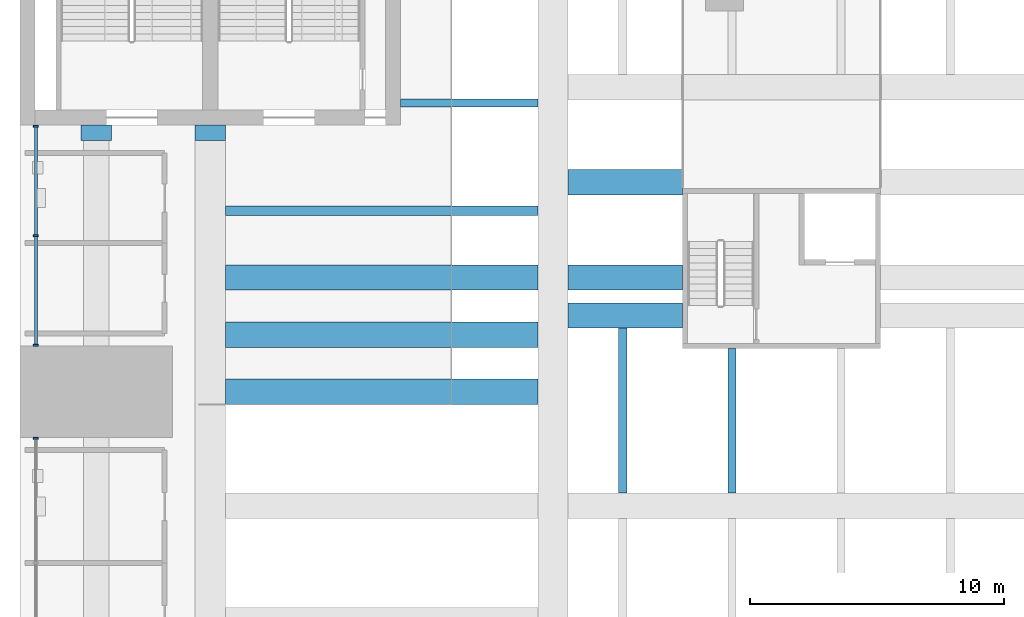
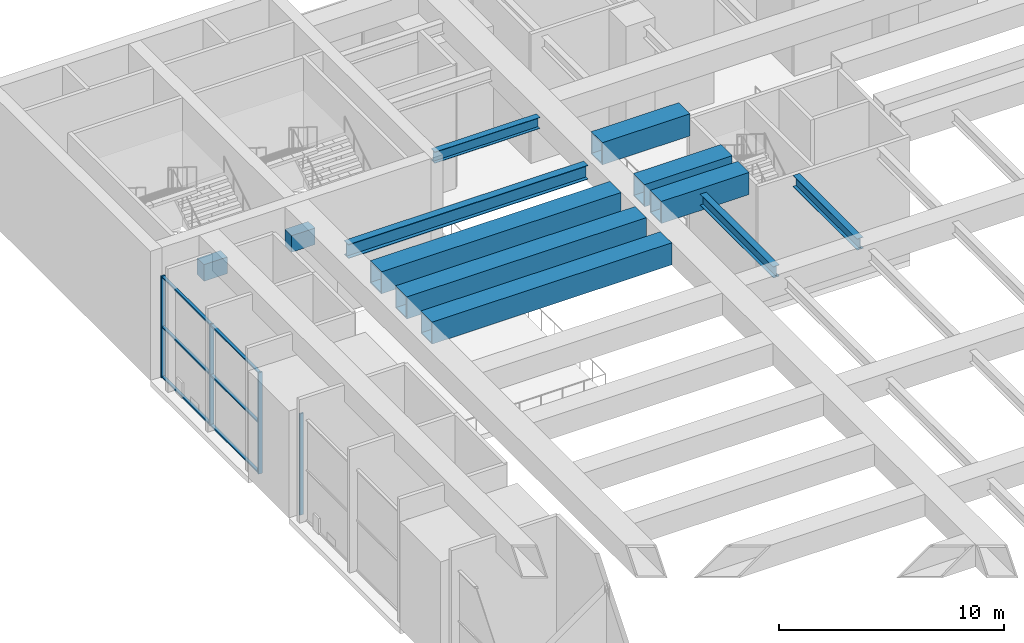
# One storey, part 12 of 45: 18 members, 4 beams, 2 elements without a shape of their own.
"""IFC4 building model written with IfcOpenShell, lengths in metres."""

import ifcopenshell
import ifcopenshell.guid

model = None  # the IFC model being written
_history = None  # IfcOwnerHistory: only IFC2X3 demands one
_inside = {}  # id of a spatial element -> (the spatial element, [elements in it])
_under = {}  # id of a project, library or spatial element -> (it, [spatial elements below it])
_declared = {}  # id of a project -> (the project, [libraries it declares])
_typed = {}  # id of a type object -> (the type object, [elements of that type])
_made_of = {}  # id of a material, layer set ... -> (it, [elements and type objects made of it])


def new_model(schema):
    """Start an empty IFC model of exactly this schema.

    Asked for "IFC4X3", IfcOpenShell would pick the latest addendum, in which some entities
    have other attributes; the version numbers below select the first issue.
    IFC2X3 requires an IfcOwnerHistory on every rooted entity: one is made here for all.
    """
    global model, _history
    if schema == "IFC4X3":
        model = ifcopenshell.file(schema_version=(4, 3, 0, 0))
    else:
        model = ifcopenshell.file(schema=schema)
    _inside.clear()
    _under.clear()
    _declared.clear()
    _typed.clear()
    _made_of.clear()
    _history = None
    if model.schema == "IFC2X3":
        org = make("IfcOrganization", Name="unknown")
        user = make(
            "IfcPersonAndOrganization",
            ThePerson=make("IfcPerson", FamilyName="unknown"),
            TheOrganization=org,
        )
        app = make(
            "IfcApplication",
            ApplicationDeveloper=org,
            Version="unknown",
            ApplicationFullName="unknown",
            ApplicationIdentifier="unknown",
        )
        _history = make(
            "IfcOwnerHistory",
            OwningUser=user,
            OwningApplication=app,
            ChangeAction="ADDED",
            CreationDate=0,
        )
    return model


def make(cls, **values):
    """One entity of the class cls with the attributes given. An attribute that is None is left unset."""
    return model.create_entity(
        cls, **{name: value for name, value in values.items() if value is not None}
    )


def rooted(cls, **values):
    """An entity with a GlobalId (a new one), such as an element, a storey or a relation."""
    return make(cls, GlobalId=ifcopenshell.guid.new(), OwnerHistory=_history, **values)


def si_unit(unit_type, name, prefix=None):
    """IfcSIUnit, for example si_unit("LENGTHUNIT", "METRE", prefix="MILLI")."""
    return make("IfcSIUnit", UnitType=unit_type, Prefix=prefix, Name=name)


def assignment(units):
    """IfcUnitAssignment: the units of a project."""
    return None if units is None else make("IfcUnitAssignment", Units=units)


def point(xyz):
    """IfcCartesianPoint."""
    return None if xyz is None else make("IfcCartesianPoint", Coordinates=xyz)


def direction(xyz):
    """IfcDirection."""
    return None if xyz is None else make("IfcDirection", DirectionRatios=xyz)


def frame(location, z_axis=None, x_axis=None):
    """IfcAxis2Placement3D, a coordinate frame: its origin and axes. An axis left out is left unset."""
    return make(
        "IfcAxis2Placement3D",
        Location=point(location),
        Axis=direction(z_axis),
        RefDirection=direction(x_axis),
    )


def frame_2d(location, x_axis=None):
    """IfcAxis2Placement2D, a coordinate frame in the plane: its origin and x axis."""
    return make(
        "IfcAxis2Placement2D", Location=point(location), RefDirection=direction(x_axis)
    )


def origin():
    """The frame at (0, 0, 0) with its axes left unset."""
    return frame((0.0, 0.0, 0.0))


def origin_2d():
    """The frame at (0, 0) in the plane with its x axis left unset."""
    return frame_2d((0.0, 0.0))


def place(relative_to, where):
    """IfcLocalPlacement: puts the frame where relative to a parent placement (None: the world)."""
    return make(
        "IfcLocalPlacement", PlacementRelTo=relative_to, RelativePlacement=where
    )


def context(
    kind, dimensions, precision=None, world=None, true_north=None, identifier=None
):
    """IfcGeometricRepresentationContext, for example the 3D "Model" context."""
    return make(
        "IfcGeometricRepresentationContext",
        ContextIdentifier=identifier,
        ContextType=kind,
        CoordinateSpaceDimension=dimensions,
        Precision=precision,
        WorldCoordinateSystem=world,
        TrueNorth=true_north,
    )


def subcontext(parent, identifier, kind, view, scale=None):
    """IfcGeometricRepresentationSubContext, for example "Body" below "Model"."""
    return make(
        "IfcGeometricRepresentationSubContext",
        ContextIdentifier=identifier,
        ContextType=kind,
        ParentContext=parent,
        TargetScale=scale,
        TargetView=view,
    )


def project(units=None, contexts=None):
    """IfcProject with its units and contexts."""
    return rooted(
        "IfcProject",
        Name="project",
        RepresentationContexts=contexts,
        UnitsInContext=assignment(units),
    )


def spatial(cls, under=None, at=None, **own):
    """A site, building, storey or space (cls), placed at a placement, below another one or the project."""
    s = rooted(cls, ObjectPlacement=at, **own)
    if under is not None:
        _under.setdefault(under.id(), (under, []))[1].append(s)
    return s


def profile(cls, at=None, kind="AREA", **sizes):
    """A parametric profile (cls). Its sizes go by their IFC names, for example OverallWidth=200.0."""
    return make(cls, ProfileType=kind, Position=at, **sizes)


def rectangle(**sizes):
    """IfcRectangleProfileDef."""
    return profile("IfcRectangleProfileDef", **sizes)


def hollow_rectangle(**sizes):
    """IfcRectangleHollowProfileDef."""
    return profile("IfcRectangleHollowProfileDef", **sizes)


def i_section(**sizes):
    """IfcIShapeProfileDef."""
    return profile("IfcIShapeProfileDef", **sizes)


def extrude(swept, where, along, depth):
    """IfcExtrudedAreaSolid: the profile swept, set in the frame where, extruded along a direction by depth."""
    return make(
        "IfcExtrudedAreaSolid",
        SweptArea=swept,
        Position=where,
        ExtrudedDirection=direction(along),
        Depth=depth,
    )


def shape(context_of_items, identifier, shape_type, items):
    """IfcShapeRepresentation: the items that make up one representation, for example the "Body"."""
    return make(
        "IfcShapeRepresentation",
        ContextOfItems=context_of_items,
        RepresentationIdentifier=identifier,
        RepresentationType=shape_type,
        Items=items,
    )


def material(Name=None, Category=None):
    """IfcMaterial."""
    return make("IfcMaterial", Name=Name, Category=Category)


def layer(
    of_material, thickness, ventilated=None, Name=None, Category=None, Priority=None
):
    """IfcMaterialLayer: one layer of a wall or slab, of a material (None: an air gap)."""
    return make(
        "IfcMaterialLayer",
        Material=of_material,
        LayerThickness=thickness,
        IsVentilated=ventilated,
        Name=Name,
        Category=Category,
        Priority=Priority,
    )


def layer_set(layers, Name=None):
    """IfcMaterialLayerSet."""
    return make("IfcMaterialLayerSet", MaterialLayers=layers, LayerSetName=Name)


def material_profile(
    of_material, cross_section, Name=None, Category=None, Priority=None
):
    """IfcMaterialProfile: a cross section and its material."""
    return make(
        "IfcMaterialProfile",
        Name=Name,
        Material=of_material,
        Profile=cross_section,
        Priority=Priority,
        Category=Category,
    )


def profile_set(profiles, Name=None, composite=None):
    """IfcMaterialProfileSet."""
    return make(
        "IfcMaterialProfileSet",
        Name=Name,
        MaterialProfiles=profiles,
        CompositeProfile=composite,
    )


def made_of(thing, what):
    """Note that an element or type object is made of a material, layer set ...; save() writes the relation."""
    if what is not None:
        _made_of.setdefault(what.id(), (what, []))[1].append(thing)
    return thing


def type_object(cls, material=None, **own):
    """A type object (cls), such as IfcWallType, which elements share."""
    return made_of(rooted(cls, **own), material)


def element(
    cls,
    number,
    at=None,
    inside=None,
    cuts=None,
    type_object=None,
    material=None,
    context=None,
    identifier="Body",
    shape_type=None,
    held_by="IfcProductDefinitionShape",
    body=None,
    shapes=None,
    **own,
):
    """One element of the class cls, such as IfcWall. Its Tag is "e" and its number.

    at: its placement. inside: the storey or other place that contains it. cuts: it is an
    opening in that element (IfcRelVoidsElement). A single representation is given by context,
    identifier, shape_type and body (its items); several are given by shapes. held_by: the class
    of the entity that holds the representations. save() writes the other relations.
    """
    e = rooted(cls, Tag="e%d" % number, ObjectPlacement=at, **own)
    if body is not None:
        shapes = [shape(context, identifier, shape_type, body)]
    if shapes is not None:
        e.Representation = make(held_by, Representations=shapes)
    if inside is not None:
        _inside.setdefault(inside.id(), (inside, []))[1].append(e)
    if cuts is not None:
        rooted(
            "IfcRelVoidsElement", RelatingBuildingElement=cuts, RelatedOpeningElement=e
        )
    if type_object is not None:
        _typed.setdefault(type_object.id(), (type_object, []))[1].append(e)
    return made_of(e, material)


def aggregate(whole, parts):
    """IfcRelAggregates: a whole, such as a stair, and the parts it consists of."""
    return rooted("IfcRelAggregates", RelatingObject=whole, RelatedObjects=parts)


def save(model, path):
    """Write the relations noted so far, then the file.

    IfcRelAggregates (storeys below a building ...), IfcRelContainedInSpatialStructure (elements
    in a storey), IfcRelDefinesByType, IfcRelAssociatesMaterial and IfcRelDeclares: one each for
    every whole, place, type object, material and project.
    """
    for whole, parts in _under.values():
        aggregate(whole, parts)
    for where, things in _inside.values():
        rooted(
            "IfcRelContainedInSpatialStructure",
            RelatedElements=things,
            RelatingStructure=where,
        )
    for kind, things in _typed.values():
        rooted("IfcRelDefinesByType", RelatedObjects=things, RelatingType=kind)
    for what, things in _made_of.values():
        rooted("IfcRelAssociatesMaterial", RelatedObjects=things, RelatingMaterial=what)
    for by, libraries in _declared.values():
        rooted("IfcRelDeclares", RelatingContext=by, RelatedDefinitions=libraries)
    model.write(path)


model = new_model("IFC4")

# Units and contexts
model_context = context("Model", 3, precision=1e-05, world=origin(), true_north=direction((0.0, 1.0)))
body_context = subcontext(model_context, "Body", "Model", "MODEL_VIEW")
ifc_project = project(units=[si_unit("LENGTHUNIT", "METRE"), si_unit("AREAUNIT", "SQUARE_METRE"), si_unit("VOLUMEUNIT", "CUBIC_METRE"), si_unit("PLANEANGLEUNIT", "RADIAN"), si_unit("MASSUNIT", "GRAM", prefix="KILO")], contexts=[model_context])

# Site, building, storey
site_placement = place(None, origin())
site = spatial("IfcSite", under=ifc_project, at=site_placement, CompositionType="ELEMENT")
building_placement = place(site_placement, origin())
building = spatial("IfcBuilding", under=site, at=building_placement, Name="Corbelhall Arena Tower", CompositionType="ELEMENT")
storey_placement = place(building_placement, frame((0.0, 0.0, 37.0)))
storey = spatial("IfcBuildingStorey", under=building, at=storey_placement, Name="L05", CompositionType="ELEMENT", Elevation=37.0)

# Curtain wall, members
ifc_material_1 = material(Name="Aluminium black anodised", Category="aluminium")
ifc_layer = layer(ifc_material_1, 0.239990234375)
ifc_layer_set = layer_set([ifc_layer], Name="EV-CW4 Arena concourse glazing")
curtain_wall_type = type_object("IfcCurtainWallType", Name="EV-CW4 Arena concourse glazing", PredefinedType="NOTDEFINED", material=ifc_layer_set)
curtain_wall_1_placement = place(storey_placement, origin())
curtain_wall_1 = element("IfcCurtainWall", 1, at=curtain_wall_1_placement, inside=storey, type_object=curtain_wall_type, Name="Curtain wall CW4B", PredefinedType="NOTDEFINED")
ifc_material_profile_1 = material_profile(ifc_material_1, rectangle(XDim=0.199951171875, YDim=0.074951171875, at=origin_2d()))
ifc_profile_set_1 = profile_set([ifc_material_profile_1], Name="Aluminium black anodised")
member_type_1 = type_object("IfcMemberType", Name="EV-CW4-MULLION", PredefinedType="MULLION", material=ifc_profile_set_1)
member_1_placement = place(storey_placement, frame((-47.3798828125, 23.96240234375, 0.0), z_axis=(0.0, 0.0, 1.0), x_axis=(1.0, 0.0, 0.0)))
member_1 = element("IfcMember", 2, at=member_1_placement, type_object=member_type_1, Name="CW4B mullion 1", PredefinedType="MULLION", context=body_context, shape_type="SweptSolid", body=[
    extrude(rectangle(XDim=0.199951171875, YDim=0.074951171875, at=origin_2d()), origin(), (0.0, 0.0, 1.0), 5.5),
])
member_2_placement = place(storey_placement, frame((-47.3798828125, 19.64990234375, 0.0), z_axis=(0.0, 0.0, 1.0), x_axis=(1.0, 0.0, 0.0)))
member_2 = element("IfcMember", 3, at=member_2_placement, type_object=member_type_1, Name="CW4B mullion 2", PredefinedType="MULLION", context=body_context, shape_type="SweptSolid", body=[
    extrude(rectangle(XDim=0.199951171875, YDim=0.074951171875, at=origin_2d()), origin(), (0.0, 0.0, 1.0), 5.5),
])
member_3_placement = place(storey_placement, frame((-47.3798828125, 15.33740234375, 0.0), z_axis=(0.0, 0.0, 1.0), x_axis=(1.0, 0.0, 0.0)))
member_3 = element("IfcMember", 4, at=member_3_placement, type_object=member_type_1, Name="CW4B mullion 3", PredefinedType="MULLION", context=body_context, shape_type="SweptSolid", body=[
    extrude(rectangle(XDim=0.199951171875, YDim=0.074951171875, at=origin_2d()), origin(), (0.0, 0.0, 1.0), 5.5),
])

# Curtain wall, member
curtain_wall_2_placement = place(storey_placement, origin())
curtain_wall_2 = element("IfcCurtainWall", 5, at=curtain_wall_2_placement, inside=storey, type_object=curtain_wall_type, Name="Curtain wall CW4", PredefinedType="NOTDEFINED")
member_4_placement = place(storey_placement, frame((-47.3798828125, 11.66259765625, 0.0), z_axis=(0.0, 0.0, 1.0), x_axis=(1.0, 0.0, 0.0)))
member_4 = element("IfcMember", 6, at=member_4_placement, type_object=member_type_1, Name="CW4 mullion 1", PredefinedType="MULLION", context=body_context, shape_type="SweptSolid", body=[
    extrude(rectangle(XDim=0.199951171875, YDim=0.074951171875, at=origin_2d()), origin(), (0.0, 0.0, 1.0), 5.5),
])
aggregate(curtain_wall_2, [member_4])

# Member
ifc_material_profile_2 = material_profile(ifc_material_1, rectangle(XDim=0.14990234375, YDim=0.074951171875, at=origin_2d()))
ifc_profile_set_2 = profile_set([ifc_material_profile_2], Name="Aluminium black anodised")
member_type_2 = type_object("IfcMemberType", Name="EV-CW4-TRANSOM", PredefinedType="USERDEFINED", material=ifc_profile_set_2)
member_5_placement = place(storey_placement, frame((-47.3798828125, 23.925048828125, 0.03759765625), z_axis=(0.0, -1.0, 0.0), x_axis=(1.0, 0.0, 0.0)))
member_5 = element("IfcMember", 7, at=member_5_placement, type_object=member_type_2, Name="CW4B transom 1.1", ObjectType="transom", PredefinedType="USERDEFINED", context=body_context, shape_type="SweptSolid", body=[
    extrude(rectangle(XDim=0.14990234375, YDim=0.074951171875, at=origin_2d()), origin(), (0.0, 0.0, 1.0), 4.237548828125),
])

member_6_placement = place(storey_placement, frame((-47.3798828125, 23.925048828125, 2.75), z_axis=(0.0, -1.0, 0.0), x_axis=(1.0, 0.0, 0.0)))
member_6 = element("IfcMember", 8, at=member_6_placement, type_object=member_type_2, Name="CW4B transom 1.2", ObjectType="transom", PredefinedType="USERDEFINED", context=body_context, shape_type="SweptSolid", body=[
    extrude(rectangle(XDim=0.14990234375, YDim=0.074951171875, at=origin_2d()), origin(), (0.0, 0.0, 1.0), 4.237548828125),
])

member_7_placement = place(storey_placement, frame((-47.3798828125, 23.925048828125, 5.46240234375), z_axis=(0.0, -1.0, 0.0), x_axis=(1.0, 0.0, 0.0)))
member_7 = element("IfcMember", 9, at=member_7_placement, type_object=member_type_2, Name="CW4B transom 1.3", ObjectType="transom", PredefinedType="USERDEFINED", context=body_context, shape_type="SweptSolid", body=[
    extrude(rectangle(XDim=0.14990234375, YDim=0.074951171875, at=origin_2d()), origin(), (0.0, 0.0, 1.0), 4.237548828125),
])

member_8_placement = place(storey_placement, frame((-47.3798828125, 19.612548828125, 0.03759765625), z_axis=(0.0, -1.0, 0.0), x_axis=(1.0, 0.0, 0.0)))
member_8 = element("IfcMember", 10, at=member_8_placement, type_object=member_type_2, Name="CW4B transom 2.1", ObjectType="transom", PredefinedType="USERDEFINED", context=body_context, shape_type="SweptSolid", body=[
    extrude(rectangle(XDim=0.14990234375, YDim=0.074951171875, at=origin_2d()), origin(), (0.0, 0.0, 1.0), 4.237548828125),
])

member_9_placement = place(storey_placement, frame((-47.3798828125, 19.612548828125, 2.75), z_axis=(0.0, -1.0, 0.0), x_axis=(1.0, 0.0, 0.0)))
member_9 = element("IfcMember", 11, at=member_9_placement, type_object=member_type_2, Name="CW4B transom 2.2", ObjectType="transom", PredefinedType="USERDEFINED", context=body_context, shape_type="SweptSolid", body=[
    extrude(rectangle(XDim=0.14990234375, YDim=0.074951171875, at=origin_2d()), origin(), (0.0, 0.0, 1.0), 4.237548828125),
])

member_10_placement = place(storey_placement, frame((-47.3798828125, 19.612548828125, 5.46240234375), z_axis=(0.0, -1.0, 0.0), x_axis=(1.0, 0.0, 0.0)))
member_10 = element("IfcMember", 12, at=member_10_placement, type_object=member_type_2, Name="CW4B transom 2.3", ObjectType="transom", PredefinedType="USERDEFINED", context=body_context, shape_type="SweptSolid", body=[
    extrude(rectangle(XDim=0.14990234375, YDim=0.074951171875, at=origin_2d()), origin(), (0.0, 0.0, 1.0), 4.237548828125),
])

aggregate(curtain_wall_1, [member_1, member_2, member_3, member_5, member_6, member_7, member_8, member_9, member_10])

# Beams
ifc_material_2 = material(Name="Steel ASTM A992 Gr50", Category="steel")
ifc_material_profile_3 = material_profile(ifc_material_2, i_section(OverallWidth=0.323974609375, OverallDepth=0.611083984375, WebThickness=0.0126953125, FlangeThickness=0.01904296875, at=origin_2d()))
ifc_profile_set_3 = profile_set([ifc_material_profile_3], Name="Steel ASTM A992 Gr50")
beam_type_1 = type_object("IfcBeamType", Name="PO-BEAM-W24X104", PredefinedType="BEAM", material=ifc_profile_set_3)
beam_1_placement = place(storey_placement, frame((-33.0, 24.875, 6.39453125), z_axis=(1.0, 0.0, 0.0), x_axis=(0.0, 1.0, 0.0)))
element("IfcBeam", 13, at=beam_1_placement, inside=storey, type_object=beam_type_1, Name="DECK BEAM BOT 13.2", PredefinedType="BEAM", context=body_context, shape_type="SweptSolid", body=[
    extrude(i_section(OverallWidth=0.323974609375, OverallDepth=0.611083984375, WebThickness=0.0126953125, FlangeThickness=0.01904296875, at=origin_2d()), origin(), (0.0, 0.0, 1.0), 5.39990234375),
])
beam_2_placement = place(storey_placement, frame((-24.25, 9.5, 6.39453125), z_axis=(0.0, 1.0, 0.0), x_axis=(-1.0, 0.0, 0.0)))
element("IfcBeam", 14, at=beam_2_placement, inside=storey, type_object=beam_type_1, Name="DECK BEAM BOT 25.1", PredefinedType="BEAM", context=body_context, shape_type="SweptSolid", body=[
    extrude(i_section(OverallWidth=0.323974609375, OverallDepth=0.611083984375, WebThickness=0.0126953125, FlangeThickness=0.01904296875, at=origin_2d()), origin(), (0.0, 0.0, 1.0), 6.5),
])
beam_3_placement = place(storey_placement, frame((-19.949951171875, 9.5, 6.39453125), z_axis=(0.0, 1.0, 0.0), x_axis=(-1.0, 0.0, 0.0)))
element("IfcBeam", 15, at=beam_3_placement, inside=storey, type_object=beam_type_1, Name="DECK BEAM BOT 25.2", PredefinedType="BEAM", context=body_context, shape_type="SweptSolid", body=[
    extrude(i_section(OverallWidth=0.323974609375, OverallDepth=0.611083984375, WebThickness=0.0126953125, FlangeThickness=0.01904296875, at=origin_2d()), origin(), (0.0, 0.0, 1.0), 5.699951171875),
])
ifc_material_profile_4 = material_profile(ifc_material_2, i_section(OverallWidth=0.381103515625, OverallDepth=0.77294921875, WebThickness=0.0166015625, FlangeThickness=0.027099609375, at=origin_2d()))
ifc_profile_set_4 = profile_set([ifc_material_profile_4], Name="Steel ASTM A992 Gr50")
beam_type_2 = type_object("IfcBeamType", Name="PO-BEAM-W30X173", PredefinedType="BEAM", material=ifc_profile_set_4)
beam_4_placement = place(storey_placement, frame((-39.89990234375, 20.625, 6.3134765625), z_axis=(1.0, 0.0, 0.0), x_axis=(0.0, 1.0, 0.0)))
element("IfcBeam", 16, at=beam_4_placement, inside=storey, type_object=beam_type_2, Name="DECK BEAM BOT 13.1", PredefinedType="BEAM", context=body_context, shape_type="SweptSolid", body=[
    extrude(i_section(OverallWidth=0.381103515625, OverallDepth=0.77294921875, WebThickness=0.0166015625, FlangeThickness=0.027099609375, at=origin_2d()), origin(), (0.0, 0.0, 1.0), 12.2998046875),
])

# Members
ifc_material_3 = material(Name="Steel ASTM A572 Gr50", Category="steel")
ifc_material_profile_5 = material_profile(ifc_material_3, hollow_rectangle(XDim=1.0, YDim=1.199951171875, WallThickness=0.06005859375, at=origin_2d()))
ifc_profile_set_5 = profile_set([ifc_material_profile_5], Name="Steel ASTM A572 Gr50")
member_type_3 = type_object("IfcMemberType", Name="PO-CHORD-1200X1000X60", PredefinedType="CHORD", material=ifc_profile_set_5)
for number, where, z_axis, x_axis, name in (
    (17, (-39.89990234375, 13.5, 6.39990234375), (1.0, 0.0, 0.0), (0.0, 1.0, 0.0), "TRUSS SEC-N13.50-0 BOT CHORD"),
    (18, (-39.89990234375, 15.75, 6.39990234375), (1.0, 0.0, 0.0), (0.0, 1.0, 0.0), "TRUSS SEC-N15.75-0 BOT CHORD"),
):
    element("IfcMember", number, at=place(storey_placement, frame(where, z_axis=z_axis, x_axis=x_axis)), inside=storey, type_object=member_type_3, Name=name, PredefinedType="CHORD", context=body_context, shape_type="SweptSolid", body=[
        extrude(hollow_rectangle(XDim=1.0, YDim=1.199951171875, WallThickness=0.06005859375, at=origin_2d()), origin(), (0.0, 0.0, 1.0), 12.2998046875),
    ])
member_11_placement = place(storey_placement, frame((-26.39990234375, 16.5, 6.39990234375), z_axis=(1.0, 0.0, 0.0), x_axis=(0.0, 1.0, 0.0)))
element("IfcMember", 19, at=member_11_placement, inside=storey, type_object=member_type_3, Name="TRUSS SEC-N16.50-1W BOT CHORD", PredefinedType="CHORD", context=body_context, shape_type="SweptSolid", body=[
    extrude(hollow_rectangle(XDim=1.0, YDim=1.199951171875, WallThickness=0.06005859375, at=origin_2d()), origin(), (0.0, 0.0, 1.0), 4.5),
])
member_12_placement = place(storey_placement, frame((-39.89990234375, 18.0, 6.39990234375), z_axis=(1.0, 0.0, 0.0), x_axis=(0.0, 1.0, 0.0)))
element("IfcMember", 20, at=member_12_placement, inside=storey, type_object=member_type_3, Name="TRUSS SEC-N18.00-0 BOT CHORD", PredefinedType="CHORD", context=body_context, shape_type="SweptSolid", body=[
    extrude(hollow_rectangle(XDim=1.0, YDim=1.199951171875, WallThickness=0.06005859375, at=origin_2d()), origin(), (0.0, 0.0, 1.0), 12.2998046875),
])
for number, where, z_axis, x_axis, name in (
    (21, (-26.39990234375, 18.0, 6.39990234375), (1.0, 0.0, 0.0), (0.0, 1.0, 0.0), "TRUSS SEC-N18.00-1W BOT CHORD"),
    (22, (-26.39990234375, 21.75, 6.39990234375), (1.0, 0.0, 0.0), (0.0, 1.0, 0.0), "TRUSS SEC-N21.75-1W BOT CHORD"),
):
    element("IfcMember", number, at=place(storey_placement, frame(where, z_axis=z_axis, x_axis=x_axis)), inside=storey, type_object=member_type_3, Name=name, PredefinedType="CHORD", context=body_context, shape_type="SweptSolid", body=[
        extrude(hollow_rectangle(XDim=1.0, YDim=1.199951171875, WallThickness=0.06005859375, at=origin_2d()), origin(), (0.0, 0.0, 1.0), 4.5),
    ])
ifc_material_4 = material(Name="Concrete C80/95", Category="concrete")
ifc_material_profile_6 = material_profile(ifc_material_4, rectangle(XDim=1.199951171875, YDim=0.89990234375, at=origin_2d()))
ifc_profile_set_6 = profile_set([ifc_material_profile_6], Name="Concrete C80/95")
member_type_4 = type_object("IfcMemberType", Name="PO-CORBEL", PredefinedType="MEMBER", material=ifc_profile_set_6)
for number, where, z_axis, x_axis, name in (
    (23, (-40.5, 24.0, 5.35009765625), (0.0, -1.0, 0.0), (1.0, 0.0, 0.0), "CORBEL NW PRI"),
    (24, (-45.0, 24.0, 5.35009765625), (0.0, -1.0, 0.0), (1.0, 0.0, 0.0), "CORBEL NW EDGEEW"),
):
    element("IfcMember", number, at=place(storey_placement, frame(where, z_axis=z_axis, x_axis=x_axis)), inside=storey, type_object=member_type_4, Name=name, PredefinedType="MEMBER", context=body_context, shape_type="SweptSolid", body=[
        extrude(rectangle(XDim=1.199951171875, YDim=0.89990234375, at=origin_2d()), origin(), (0.0, 0.0, 1.0), 0.60009765625),
    ])

save(model, "model.ifc")
